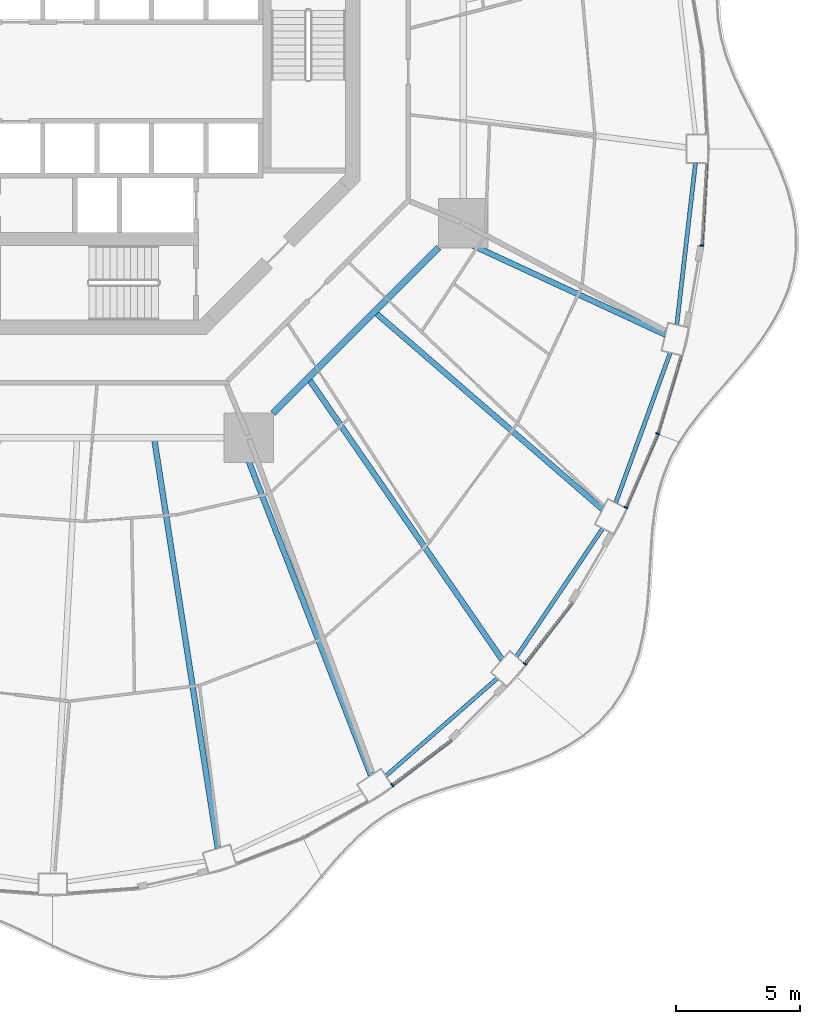
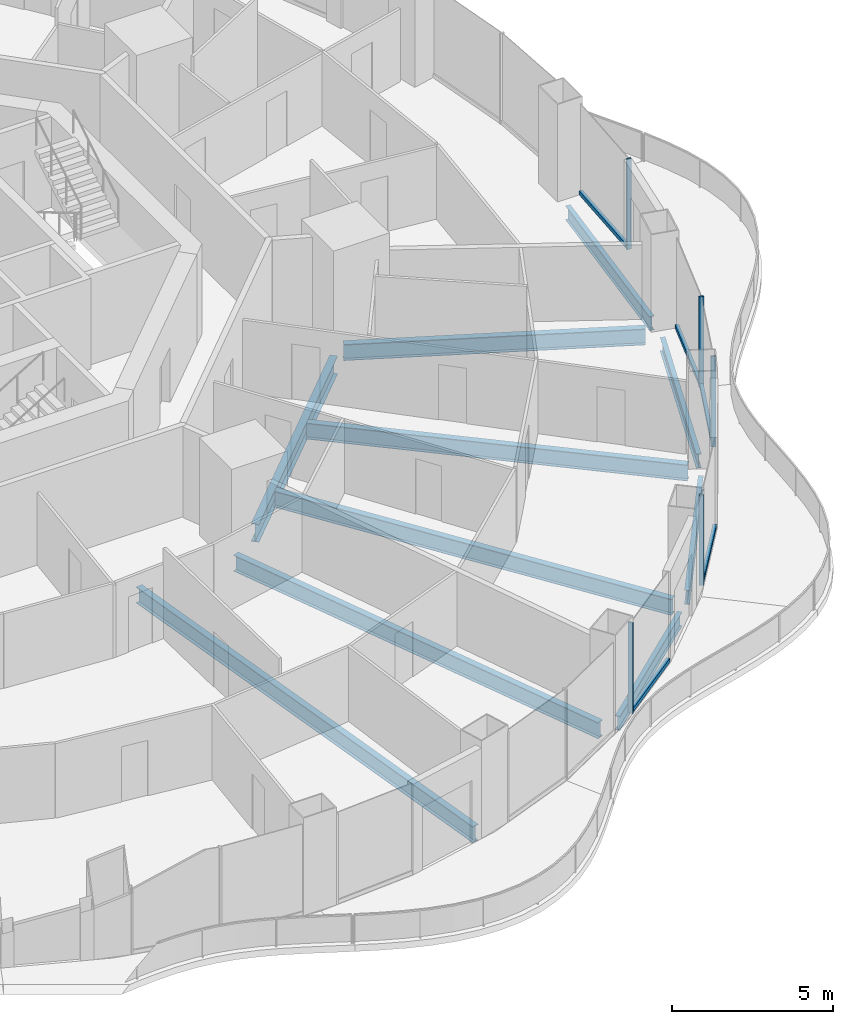
# One storey, part 5 of 20: 10 beams, 10 members, 5 elements without a shape of their own.
"""IFC4 building model written with IfcOpenShell, lengths in metres."""

from ifc_helpers import new_model, si_unit, direction, frame, origin, origin_2d, place, context, subcontext, project, spatial, rectangle, i_section, extrude, material, layer, layer_set, material_profile, profile_set, type_object, element, aggregate, save


model = new_model("IFC4")

# Units and contexts
model_context = context("Model", 3, precision=1e-05, world=origin(), true_north=direction((0.0, 1.0)))
body_context = subcontext(model_context, "Body", "Model", "MODEL_VIEW")
ifc_project = project(units=[si_unit("LENGTHUNIT", "METRE"), si_unit("AREAUNIT", "SQUARE_METRE"), si_unit("VOLUMEUNIT", "CUBIC_METRE"), si_unit("PLANEANGLEUNIT", "RADIAN"), si_unit("MASSUNIT", "GRAM", prefix="KILO")], contexts=[model_context])

# Site, building, storey
site_placement = place(None, origin())
site = spatial("IfcSite", under=ifc_project, at=site_placement, CompositionType="ELEMENT")
building_placement = place(site_placement, origin())
building = spatial("IfcBuilding", under=site, at=building_placement, Name="Nagisa Residences", CompositionType="ELEMENT")
storey_placement = place(building_placement, frame((0.0, 0.0, 152.89990234375)))
storey = spatial("IfcBuildingStorey", under=building, at=storey_placement, Name="L38", CompositionType="ELEMENT", Elevation=152.89990234375)

# Curtain wall, member
ifc_material_1 = material(Name="Concrete-coloured aluminium curtain wall system", Category="concrete")
ifc_layer = layer(ifc_material_1, 0.159912109375)
ifc_layer_set = layer_set([ifc_layer], Name="CW1 CURTAIN WALL")
curtain_wall_type = type_object("IfcCurtainWallType", Name="CW1 CURTAIN WALL", PredefinedType="NOTDEFINED", material=ifc_layer_set)
curtain_wall_1_placement = place(storey_placement, origin())
curtain_wall_1 = element("IfcCurtainWall", 1, at=curtain_wall_1_placement, inside=storey, type_object=curtain_wall_type, Name="cw:CW1:L38:40", PredefinedType="NOTDEFINED")
ifc_material_2 = material(Name="Concrete-coloured aluminium", Category="concrete")
ifc_material_profile_1 = material_profile(ifc_material_2, rectangle(XDim=0.159912109375, YDim=0.06005859375, at=origin_2d()), Name="CW1 MULLION 160x60")
ifc_profile_set_1 = profile_set([ifc_material_profile_1], Name="Concrete-coloured aluminium")
member_type_1 = type_object("IfcMemberType", Name="CW1 MULLION 160x60", PredefinedType="MULLION", material=ifc_profile_set_1)
member_1_placement = place(storey_placement, frame((11.920654296875, -28.822265625, 0.0), z_axis=(0.0, 0.0, 1.0), x_axis=(-0.605255421737, 0.79603132756, 0.0)))
member_1 = element("IfcMember", 2, at=member_1_placement, type_object=member_type_1, Name="CW1 mullion", PredefinedType="MULLION", context=body_context, shape_type="SweptSolid", body=[
    extrude(rectangle(XDim=0.159912109375, YDim=0.06005859375, at=origin_2d()), origin(), (0.0, 0.0, 1.0), 3.440185546875),
])

curtain_wall_2_placement = place(storey_placement, origin())
curtain_wall_2 = element("IfcCurtainWall", 3, at=curtain_wall_2_placement, inside=storey, type_object=curtain_wall_type, Name="cw:CW1:L38:42", PredefinedType="NOTDEFINED")
member_2_placement = place(storey_placement, frame((17.2841796875, -23.9208984375, 0.0), z_axis=(0.0, 0.0, 1.0), x_axis=(-0.792070340816, 0.610429828235, 0.0)))
member_2 = element("IfcMember", 4, at=member_2_placement, type_object=member_type_1, Name="CW1 mullion", PredefinedType="MULLION", context=body_context, shape_type="SweptSolid", body=[
    extrude(rectangle(XDim=0.159912109375, YDim=0.06005859375, at=origin_2d()), origin(), (0.0, 0.0, 1.0), 3.440185546875),
])

curtain_wall_3_placement = place(storey_placement, origin())
curtain_wall_3 = element("IfcCurtainWall", 5, at=curtain_wall_3_placement, inside=storey, type_object=curtain_wall_type, Name="cw:CW1:L38:44", PredefinedType="NOTDEFINED")
member_3_placement = place(storey_placement, frame((21.357177734375, -17.605224609375, 0.0), z_axis=(0.0, 0.0, 1.0), x_axis=(-0.917543276295, 0.397635934147, 0.0)))
member_3 = element("IfcMember", 6, at=member_3_placement, type_object=member_type_1, Name="CW1 mullion", PredefinedType="MULLION", context=body_context, shape_type="SweptSolid", body=[
    extrude(rectangle(XDim=0.159912109375, YDim=0.06005859375, at=origin_2d()), origin(), (0.0, 0.0, 1.0), 3.440185546875),
])

curtain_wall_4_placement = place(storey_placement, origin())
curtain_wall_4 = element("IfcCurtainWall", 7, at=curtain_wall_4_placement, inside=storey, type_object=curtain_wall_type, Name="cw:CW1:L38:45", PredefinedType="NOTDEFINED")
member_4_placement = place(storey_placement, frame((22.64697265625, -14.62109375, 0.0), z_axis=(0.0, 0.0, 1.0), x_axis=(-0.958271310082, 0.285860274038, 0.0)))
member_4 = element("IfcMember", 8, at=member_4_placement, type_object=member_type_1, Name="CW1 mullion", PredefinedType="MULLION", context=body_context, shape_type="SweptSolid", body=[
    extrude(rectangle(XDim=0.159912109375, YDim=0.06005859375, at=origin_2d()), origin(), (0.0, 0.0, 1.0), 3.440185546875),
])

curtain_wall_5_placement = place(storey_placement, origin())
curtain_wall_5 = element("IfcCurtainWall", 9, at=curtain_wall_5_placement, inside=storey, type_object=curtain_wall_type, Name="cw:CW1:L38:47", PredefinedType="NOTDEFINED")
member_5_placement = place(storey_placement, frame((24.429931640625, -7.0244140625, 0.0), z_axis=(0.0, 0.0, 1.0), x_axis=(-0.998345305184, 0.057503492216, 0.0)))
member_5 = element("IfcMember", 10, at=member_5_placement, type_object=member_type_1, Name="CW1 mullion", PredefinedType="MULLION", context=body_context, shape_type="SweptSolid", body=[
    extrude(rectangle(XDim=0.159912109375, YDim=0.06005859375, at=origin_2d()), origin(), (0.0, 0.0, 1.0), 3.440185546875),
])

# Member
ifc_material_3 = material(Name="Concrete-coloured aluminium", Category="concrete")
ifc_material_profile_2 = material_profile(ifc_material_3, rectangle(XDim=0.1201171875, YDim=0.14990234375, at=origin_2d()), Name="CW1 TRANSOM 120x150")
ifc_profile_set_2 = profile_set([ifc_material_profile_2], Name="Concrete-coloured aluminium")
member_type_2 = type_object("IfcMemberType", Name="CW1 TRANSOM 120x150", PredefinedType="USERDEFINED", material=ifc_profile_set_2)
member_6_placement = place(storey_placement, frame((11.896728515625, -28.840576171875, 0.0751953125), z_axis=(0.796022231079, 0.605267385233, 0.0), x_axis=(-0.605267385233, 0.796022231079, 0.0)))
member_6 = element("IfcMember", 11, at=member_6_placement, type_object=member_type_2, Name="CW1 transom", ObjectType="TRANSOM", PredefinedType="USERDEFINED", context=body_context, shape_type="SweptSolid", body=[
    extrude(rectangle(XDim=0.1201171875, YDim=0.14990234375, at=origin_2d()), origin(), (0.0, 0.0, 1.0), 3.025634765625),
])

aggregate(curtain_wall_1, [member_1, member_6])

member_7_placement = place(storey_placement, frame((17.265869140625, -23.94482421875, 0.0751953125), z_axis=(0.610429847179, 0.792070326217, 0.0), x_axis=(-0.792070326217, 0.610429847179, 0.0)))
member_7 = element("IfcMember", 12, at=member_7_placement, type_object=member_type_2, Name="CW1 transom", ObjectType="TRANSOM", PredefinedType="USERDEFINED", context=body_context, shape_type="SweptSolid", body=[
    extrude(rectangle(XDim=0.1201171875, YDim=0.14990234375, at=origin_2d()), origin(), (0.0, 0.0, 1.0), 3.149169921875),
])

aggregate(curtain_wall_2, [member_2, member_7])

member_8_placement = place(storey_placement, frame((21.34521484375, -17.6328125, 0.0751953125), z_axis=(0.397666272939, 0.917530127771, 0.0), x_axis=(-0.917530127771, 0.397666272939, 0.0)))
member_8 = element("IfcMember", 13, at=member_8_placement, type_object=member_type_2, Name="CW1 transom", ObjectType="TRANSOM", PredefinedType="USERDEFINED", context=body_context, shape_type="SweptSolid", body=[
    extrude(rectangle(XDim=0.1201171875, YDim=0.14990234375, at=origin_2d()), origin(), (0.0, 0.0, 1.0), 3.260498046875),
])

aggregate(curtain_wall_3, [member_3, member_8])

member_9_placement = place(storey_placement, frame((22.638427734375, -14.64990234375, 0.0751953125), z_axis=(0.285909915381, 0.958256500258, 0.0), x_axis=(-0.958256500258, 0.285909915381, 0.0)))
member_9 = element("IfcMember", 14, at=member_9_placement, type_object=member_type_2, Name="CW1 transom", ObjectType="TRANSOM", PredefinedType="USERDEFINED", context=body_context, shape_type="SweptSolid", body=[
    extrude(rectangle(XDim=0.1201171875, YDim=0.14990234375, at=origin_2d()), origin(), (0.0, 0.0, 1.0), 3.302978515625),
])

aggregate(curtain_wall_4, [member_4, member_9])

member_10_placement = place(storey_placement, frame((24.42822265625, -7.054443359375, 0.0751953125), z_axis=(0.05746514539, 0.998347513176, 0.0), x_axis=(-0.998347513176, 0.05746514539, 0.0)))
member_10 = element("IfcMember", 15, at=member_10_placement, type_object=member_type_2, Name="CW1 transom", ObjectType="TRANSOM", PredefinedType="USERDEFINED", context=body_context, shape_type="SweptSolid", body=[
    extrude(rectangle(XDim=0.1201171875, YDim=0.14990234375, at=origin_2d()), origin(), (0.0, 0.0, 1.0), 3.347900390625),
])

aggregate(curtain_wall_5, [member_5, member_10])

# Beams
ifc_material_4 = material(Name="Steel ASTM A572 Gr 50", Category="steel")
ifc_material_profile_3 = material_profile(ifc_material_4, i_section(OverallWidth=0.25390625, OverallDepth=0.68408203125, WebThickness=0.012451171875, FlangeThickness=0.018798828125, at=origin_2d()), Name="W690x140")
ifc_profile_set_3 = profile_set([ifc_material_profile_3], Name="Steel ASTM A572 Gr 50")
beam_type_1 = type_object("IfcBeamType", Name="Inner ring beam W690x140", PredefinedType="BEAM", material=ifc_profile_set_3)
beam_1_placement = place(storey_placement, frame((7.10888671875, -13.796142578125, -0.601806640625), z_axis=(0.707106781187, 0.707106781187, 0.0), x_axis=(-0.707106781187, 0.707106781187, 0.0)))
element("IfcBeam", 16, at=beam_1_placement, inside=storey, type_object=beam_type_1, Name="beam:L38:ib7", PredefinedType="BEAM", context=body_context, shape_type="SweptSolid", body=[
    extrude(i_section(OverallWidth=0.25390625, OverallDepth=0.68408203125, WebThickness=0.012451171875, FlangeThickness=0.018798828125, at=origin_2d()), origin(), (0.0, 0.0, 1.0), 9.457275390625),
])
ifc_material_5 = material(Name="Steel ASTM A572 Gr 50", Category="steel")
ifc_material_profile_4 = material_profile(ifc_material_5, i_section(OverallWidth=0.166015625, OverallDepth=0.534912109375, WebThickness=0.01025390625, FlangeThickness=0.0166015625, at=origin_2d()), Name="W530x85")
ifc_profile_set_4 = profile_set([ifc_material_profile_4], Name="Steel ASTM A572 Gr 50")
beam_type_2 = type_object("IfcBeamType", Name="Perimeter ring beam W530x85", PredefinedType="BEAM", material=ifc_profile_set_4)
beam_2_placement = place(storey_placement, frame((11.658203125, -28.448486328125, -0.52734375), z_axis=(0.75252371036, 0.658565156493, 0.0), x_axis=(-0.658565156493, 0.75252371036, 0.0)))
element("IfcBeam", 17, at=beam_2_placement, inside=storey, type_object=beam_type_2, Name="beam:L38:pb21", PredefinedType="BEAM", context=body_context, shape_type="SweptSolid", body=[
    extrude(i_section(OverallWidth=0.166015625, OverallDepth=0.534912109375, WebThickness=0.01025390625, FlangeThickness=0.0166015625, at=origin_2d()), origin(), (0.0, 0.0, 1.0), 5.994384765625),
])
beam_3_placement = place(storey_placement, frame((16.93603515625, -23.6298828125, -0.52734375), z_axis=(0.558187951157, 0.82971453596, 0.0), x_axis=(-0.82971453596, 0.558187951157, 0.0)))
element("IfcBeam", 18, at=beam_3_placement, inside=storey, type_object=beam_type_2, Name="beam:L38:pb22", PredefinedType="BEAM", context=body_context, shape_type="SweptSolid", body=[
    extrude(i_section(OverallWidth=0.166015625, OverallDepth=0.534912109375, WebThickness=0.01025390625, FlangeThickness=0.0166015625, at=origin_2d()), origin(), (0.0, 0.0, 1.0), 6.24267578125),
])
beam_4_placement = place(storey_placement, frame((20.946533203125, -17.415771484375, -0.52734375), z_axis=(0.341332802315, 0.93994250785, 0.0), x_axis=(-0.93994250785, 0.341332802315, 0.0)))
element("IfcBeam", 19, at=beam_4_placement, inside=storey, type_object=beam_type_2, Name="beam:L38:pb23", PredefinedType="BEAM", context=body_context, shape_type="SweptSolid", body=[
    extrude(i_section(OverallWidth=0.166015625, OverallDepth=0.534912109375, WebThickness=0.01025390625, FlangeThickness=0.0166015625, at=origin_2d()), origin(), (0.0, 0.0, 1.0), 6.450927734375),
])
beam_5_placement = place(storey_placement, frame((23.414794921875, -10.22314453125, -0.52734375), z_axis=(0.114660786771, 0.993404703017, 0.0), x_axis=(-0.993404703017, 0.114660786771, 0.0)))
element("IfcBeam", 20, at=beam_5_placement, inside=storey, type_object=beam_type_2, Name="beam:L38:pb24", PredefinedType="BEAM", context=body_context, shape_type="SweptSolid", body=[
    extrude(i_section(OverallWidth=0.166015625, OverallDepth=0.534912109375, WebThickness=0.01025390625, FlangeThickness=0.0166015625, at=origin_2d()), origin(), (0.0, 0.0, 1.0), 6.568603515625),
])
ifc_material_6 = material(Name="Steel ASTM A572 Gr 50", Category="steel")
ifc_material_profile_5 = material_profile(ifc_material_6, i_section(OverallWidth=0.22900390625, OverallDepth=0.612060546875, WebThickness=0.011962890625, FlangeThickness=0.01953125, at=origin_2d()), Name="W610x125")
ifc_profile_set_5 = profile_set([ifc_material_profile_5], Name="Steel ASTM A572 Gr 50")
beam_type_3 = type_object("IfcBeamType", Name="Radial beam W610x125", PredefinedType="BEAM", material=ifc_profile_set_5)
beam_6_placement = place(storey_placement, frame((4.87158203125, -31.371337890625, -0.56591796875), z_axis=(-0.153441816097, 0.988157684316, 0.0), x_axis=(-0.988157684316, -0.153441816097, 0.0)))
element("IfcBeam", 21, at=beam_6_placement, inside=storey, type_object=beam_type_3, Name="beam:L38:rb20", PredefinedType="BEAM", context=body_context, shape_type="SweptSolid", body=[
    extrude(i_section(OverallWidth=0.22900390625, OverallDepth=0.612060546875, WebThickness=0.011962890625, FlangeThickness=0.01953125, at=origin_2d()), origin(), (0.0, 0.0, 1.0), 16.679443359375),
])
beam_7_placement = place(storey_placement, frame((11.057861328125, -28.424072265625, -0.56591796875), z_axis=(-0.362553351511, 0.931963018208, 0.0), x_axis=(-0.931963018208, -0.362553351511, 0.0)))
element("IfcBeam", 22, at=beam_7_placement, inside=storey, type_object=beam_type_3, Name="beam:L38:rb21", PredefinedType="BEAM", context=body_context, shape_type="SweptSolid", body=[
    extrude(i_section(OverallWidth=0.22900390625, OverallDepth=0.612060546875, WebThickness=0.011962890625, FlangeThickness=0.01953125, at=origin_2d()), origin(), (0.0, 0.0, 1.0), 14.521728515625),
])
beam_8_placement = place(storey_placement, frame((16.357666015625, -23.74951171875, -0.56591796875), z_axis=(-0.567235127754, 0.823555893575, 0.0), x_axis=(-0.823555893575, -0.567235127754, 0.0)))
element("IfcBeam", 23, at=beam_8_placement, inside=storey, type_object=beam_type_3, Name="beam:L38:rb22", PredefinedType="BEAM", context=body_context, shape_type="SweptSolid", body=[
    extrude(i_section(OverallWidth=0.22900390625, OverallDepth=0.612060546875, WebThickness=0.011962890625, FlangeThickness=0.01953125, at=origin_2d()), origin(), (0.0, 0.0, 1.0), 13.697509765625),
])
beam_9_placement = place(storey_placement, frame((20.41162109375, -17.6748046875, -0.56591796875), z_axis=(-0.755973913649, 0.654601742957, 0.0), x_axis=(-0.654601742957, -0.755973913649, 0.0)))
element("IfcBeam", 24, at=beam_9_placement, inside=storey, type_object=beam_type_3, Name="beam:L38:rb23", PredefinedType="BEAM", context=body_context, shape_type="SweptSolid", body=[
    extrude(i_section(OverallWidth=0.22900390625, OverallDepth=0.612060546875, WebThickness=0.011962890625, FlangeThickness=0.01953125, at=origin_2d()), origin(), (0.0, 0.0, 1.0), 12.072998046875),
])
beam_10_placement = place(storey_placement, frame((22.94921875, -10.618896484375, -0.56591796875), z_axis=(-0.907551024181, 0.419941827528, 0.0), x_axis=(-0.419941827528, -0.907551024181, 0.0)))
element("IfcBeam", 25, at=beam_10_placement, inside=storey, type_object=beam_type_3, Name="beam:L38:rb24", PredefinedType="BEAM", context=body_context, shape_type="SweptSolid", body=[
    extrude(i_section(OverallWidth=0.22900390625, OverallDepth=0.612060546875, WebThickness=0.011962890625, FlangeThickness=0.01953125, at=origin_2d()), origin(), (0.0, 0.0, 1.0), 9.424072265625),
])

save(model, "model.ifc")
